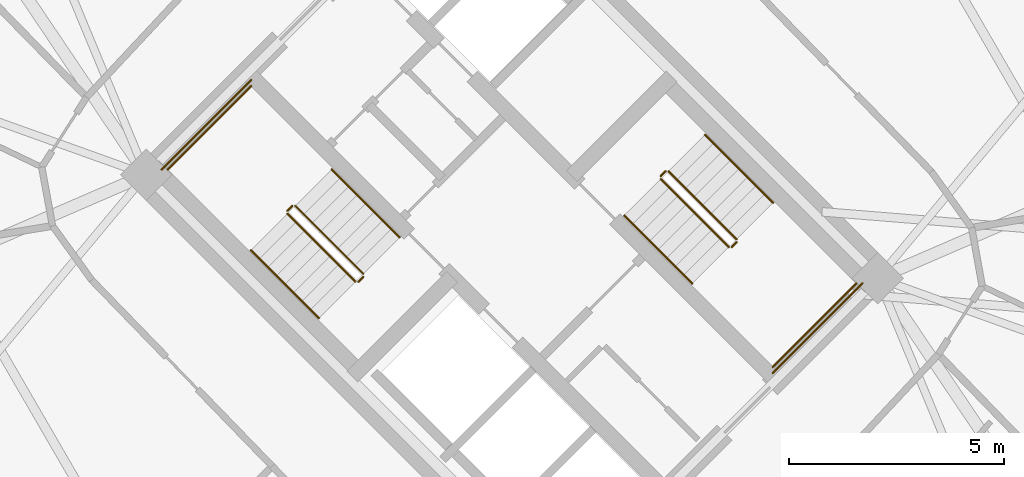
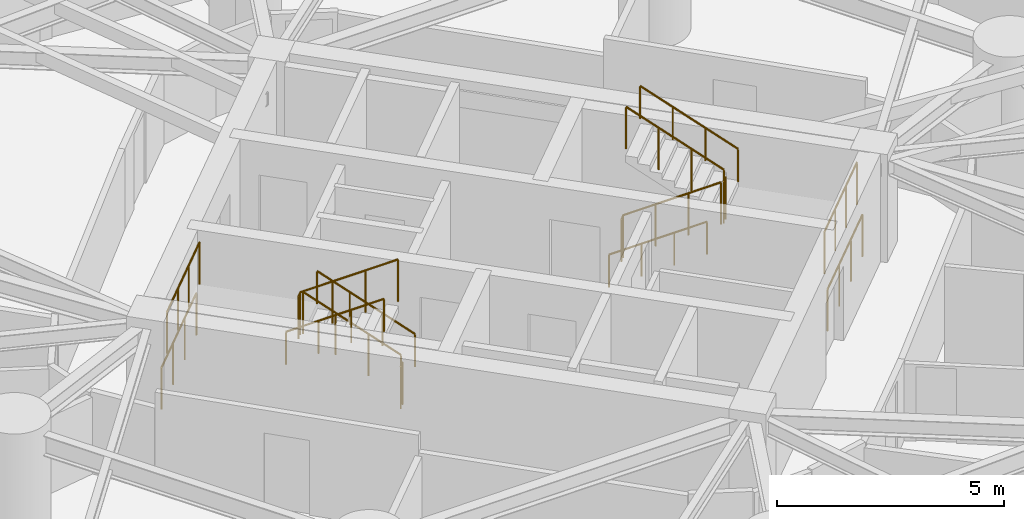
# One storey, part 18 of 18: 16 railings.
"""IFC4 building model written with IfcOpenShell, lengths in metres."""

from ifc_helpers import new_model, si_unit, direction, frame, origin, origin_2d, place, context, subcontext, project, spatial, circle, extrude, material, type_object, element, save


model = new_model("IFC4")

# Units and contexts
model_context = context("Model", 3, precision=1e-05, world=origin(), true_north=direction((0.0, 1.0)))
body_context = subcontext(model_context, "Body", "Model", "MODEL_VIEW")
ifc_project = project(units=[si_unit("LENGTHUNIT", "METRE"), si_unit("AREAUNIT", "SQUARE_METRE"), si_unit("VOLUMEUNIT", "CUBIC_METRE"), si_unit("PLANEANGLEUNIT", "RADIAN"), si_unit("MASSUNIT", "GRAM", prefix="KILO")], contexts=[model_context])

# Site, building, storey
site_placement = place(None, origin())
site = spatial("IfcSite", under=ifc_project, at=site_placement, CompositionType="ELEMENT")
building_placement = place(site_placement, origin())
building = spatial("IfcBuilding", under=site, at=building_placement, Name="Cununo Teusaquillo Station Towers", CompositionType="ELEMENT")
storey_placement = place(building_placement, frame((0.0, 0.0, 45.280029296875)))
storey = spatial("IfcBuildingStorey", under=building, at=storey_placement, Name="L13", CompositionType="ELEMENT", Elevation=45.280029296875)

# Railings
ifc_material_1 = material(Name="Steel EN 10025-2 S355J2", Category="steel")
railing_type_1 = type_object("IfcRailingType", Name="RL-INT-GUARD", PredefinedType="GUARDRAIL", material=ifc_material_1)
railing_1_placement = place(storey_placement, frame((54.03515625, 23.39697265625, 0.16162109375)))
element("IfcRailing", 1, at=railing_1_placement, inside=storey, type_object=railing_type_1, Name="L13 ST-T2-1 stair guard 1", PredefinedType="GUARDRAIL", context=body_context, shape_type="SweptSolid", body=[
    extrude(circle(Radius=0.02392578125, at=origin_2d()), frame((0.0, 0.0, 1.1259765625), z_axis=(-0.612332353853, 0.612332353853, 0.500098167213), x_axis=(-0.707106781187, -0.707106781187, 0.0)), (0.0, 0.0, 1.0), 2.58642578125),
    extrude(circle(Radius=0.02099609375, at=origin_2d()), origin(), (0.0, 0.0, 1.0), 1.101806640625),
    extrude(circle(Radius=0.02099609375, at=origin_2d()), frame((-0.52783203125, 0.52783203125, 0.43115234375)), (0.0, 0.0, 1.0), 1.101806640625),
    extrude(circle(Radius=0.02099609375, at=origin_2d()), frame((-1.055908203125, 1.055908203125, 0.8623046875)), (0.0, 0.0, 1.0), 1.101806640625),
    extrude(circle(Radius=0.02099609375, at=origin_2d()), frame((-1.583740234375, 1.583740234375, 1.29345703125)), (0.0, 0.0, 1.0), 1.101806640625),
])
railing_2_placement = place(storey_placement, frame((52.380615234375, 24.980712890625, 1.455078125)))
element("IfcRailing", 2, at=railing_2_placement, inside=storey, type_object=railing_type_1, Name="L13 ST-T2-1 stair guard 2", PredefinedType="GUARDRAIL", context=body_context, shape_type="SweptSolid", body=[
    extrude(circle(Radius=0.02392578125, at=origin_2d()), frame((0.0, 0.0, 1.1259765625), z_axis=(-0.7078691598, -0.706343579714, 0.0), x_axis=(0.706343579714, -0.7078691598, 0.0)), (0.0, 0.0, 1.0), 0.159912109375),
    extrude(circle(Radius=0.02099609375, at=origin_2d()), origin(), (0.0, 0.0, 1.0), 1.101806640625),
    extrude(circle(Radius=0.02099609375, at=origin_2d()), frame((-0.11328125, -0.113037109375, 0.0)), (0.0, 0.0, 1.0), 1.101806640625),
])
railing_3_placement = place(storey_placement, frame((51.426025390625, 27.77392578125, 1.455078125)))
element("IfcRailing", 3, at=railing_3_placement, inside=storey, type_object=railing_type_1, Name="L13 ST-T2-1 stair guard 3", PredefinedType="GUARDRAIL", context=body_context, shape_type="SweptSolid", body=[
    extrude(circle(Radius=0.02392578125, at=origin_2d()), frame((0.0, 0.0, 1.1259765625), z_axis=(-0.707106781187, -0.707106781187, 0.0), x_axis=(0.707106781187, -0.707106781187, 0.0)), (0.0, 0.0, 1.0), 2.760009765625),
    extrude(circle(Radius=0.02099609375, at=origin_2d()), origin(), (0.0, 0.0, 1.0), 1.101806640625),
    extrude(circle(Radius=0.02099609375, at=origin_2d()), frame((-0.650634765625, -0.650634765625, 0.0)), (0.0, 0.0, 1.0), 1.101806640625),
    extrude(circle(Radius=0.02099609375, at=origin_2d()), frame((-1.301025390625, -1.301025390625, 0.0)), (0.0, 0.0, 1.0), 1.101806640625),
    extrude(circle(Radius=0.02099609375, at=origin_2d()), frame((-1.95166015625, -1.95166015625, 0.0)), (0.0, 0.0, 1.0), 1.101806640625),
])
railing_4_placement = place(storey_placement, frame((52.267333984375, 24.796875, 1.61669921875)))
element("IfcRailing", 4, at=railing_4_placement, inside=storey, type_object=railing_type_1, Name="L13 ST-T2-1 stair guard 4", PredefinedType="GUARDRAIL", context=body_context, shape_type="SweptSolid", body=[
    extrude(circle(Radius=0.02392578125, at=origin_2d()), frame((0.0, 0.0, 1.1259765625), z_axis=(0.612420254088, -0.612325861324, 0.499998471934), x_axis=(0.707052281454, 0.707161276719, 0.0)), (0.0, 0.0, 1.0), 2.58642578125),
    extrude(circle(Radius=0.02099609375, at=origin_2d()), origin(), (0.0, 0.0, 1.0), 1.101806640625),
    extrude(circle(Radius=0.02099609375, at=origin_2d()), frame((0.528076171875, -0.52783203125, 0.43115234375)), (0.0, 0.0, 1.0), 1.101806640625),
    extrude(circle(Radius=0.02099609375, at=origin_2d()), frame((1.055908203125, -1.055908203125, 0.862060546875)), (0.0, 0.0, 1.0), 1.101806640625),
    extrude(circle(Radius=0.02099609375, at=origin_2d()), frame((1.583984375, -1.583740234375, 1.293212890625)), (0.0, 0.0, 1.0), 1.101806640625),
])
railing_5_placement = place(storey_placement, frame((54.03515625, 23.326171875, 0.0)))
element("IfcRailing", 5, at=railing_5_placement, inside=storey, type_object=railing_type_1, Name="L13 ST-T2-1 stair guard 5", PredefinedType="GUARDRAIL", context=body_context, shape_type="SweptSolid", body=[
    extrude(circle(Radius=0.02392578125, at=origin_2d()), frame((0.0, 0.0, 1.1259765625), z_axis=(-0.707106781187, -0.707106781187, 0.0), x_axis=(0.707106781187, -0.707106781187, 0.0)), (0.0, 0.0, 1.0), 0.159912109375),
    extrude(circle(Radius=0.02099609375, at=origin_2d()), origin(), (0.0, 0.0, 1.0), 1.101806640625),
    extrude(circle(Radius=0.02099609375, at=origin_2d()), frame((-0.113037109375, -0.113037109375, 0.0)), (0.0, 0.0, 1.0), 1.101806640625),
])
railing_6_placement = place(storey_placement, frame((51.426025390625, 27.915283203125, 0.0)))
element("IfcRailing", 6, at=railing_6_placement, inside=storey, type_object=railing_type_1, Name="L13 ST-T2-1 stair guard 6", PredefinedType="GUARDRAIL", context=body_context, shape_type="SweptSolid", body=[
    extrude(circle(Radius=0.02392578125, at=origin_2d()), frame((0.0, 0.0, 1.1259765625), z_axis=(-0.707106781187, -0.707106781187, 0.0), x_axis=(0.707106781187, -0.707106781187, 0.0)), (0.0, 0.0, 1.0), 2.9599609375),
    extrude(circle(Radius=0.02099609375, at=origin_2d()), origin(), (0.0, 0.0, 1.0), 1.101806640625),
    extrude(circle(Radius=0.02099609375, at=origin_2d()), frame((-0.69775390625, -0.69775390625, 0.0)), (0.0, 0.0, 1.0), 1.101806640625),
    extrude(circle(Radius=0.02099609375, at=origin_2d()), frame((-1.395263671875, -1.395263671875, 0.0)), (0.0, 0.0, 1.0), 1.101806640625),
    extrude(circle(Radius=0.02099609375, at=origin_2d()), frame((-2.093017578125, -2.093017578125, 0.0)), (0.0, 0.0, 1.0), 1.101806640625),
])
railing_7_placement = place(storey_placement, frame((60.96484375, 25.60302734375, 0.16162109375)))
element("IfcRailing", 7, at=railing_7_placement, inside=storey, type_object=railing_type_1, Name="L13 ST-T2-2 stair guard 1", PredefinedType="GUARDRAIL", context=body_context, shape_type="SweptSolid", body=[
    extrude(circle(Radius=0.02392578125, at=origin_2d()), frame((0.0, 0.0, 1.1259765625), z_axis=(0.612332353853, -0.612332353853, 0.500098167213), x_axis=(0.707106781187, 0.707106781187, 0.0)), (0.0, 0.0, 1.0), 2.58642578125),
    extrude(circle(Radius=0.02099609375, at=origin_2d()), origin(), (0.0, 0.0, 1.0), 1.101806640625),
    extrude(circle(Radius=0.02099609375, at=origin_2d()), frame((0.52783203125, -0.52783203125, 0.43115234375)), (0.0, 0.0, 1.0), 1.101806640625),
    extrude(circle(Radius=0.02099609375, at=origin_2d()), frame((1.055908203125, -1.055908203125, 0.8623046875)), (0.0, 0.0, 1.0), 1.101806640625),
    extrude(circle(Radius=0.02099609375, at=origin_2d()), frame((1.583740234375, -1.583740234375, 1.29345703125)), (0.0, 0.0, 1.0), 1.101806640625),
])
railing_8_placement = place(storey_placement, frame((62.619384765625, 24.019287109375, 1.455078125)))
element("IfcRailing", 8, at=railing_8_placement, inside=storey, type_object=railing_type_1, Name="L13 ST-T2-2 stair guard 2", PredefinedType="GUARDRAIL", context=body_context, shape_type="SweptSolid", body=[
    extrude(circle(Radius=0.02392578125, at=origin_2d()), frame((0.0, 0.0, 1.1259765625), z_axis=(0.7078691598, 0.706343579714, 0.0), x_axis=(-0.706343579714, 0.7078691598, 0.0)), (0.0, 0.0, 1.0), 0.159912109375),
    extrude(circle(Radius=0.02099609375, at=origin_2d()), origin(), (0.0, 0.0, 1.0), 1.101806640625),
    extrude(circle(Radius=0.02099609375, at=origin_2d()), frame((0.11328125, 0.113037109375, 0.0)), (0.0, 0.0, 1.0), 1.101806640625),
])
railing_9_placement = place(storey_placement, frame((63.573974609375, 21.22607421875, 1.455078125)))
element("IfcRailing", 9, at=railing_9_placement, inside=storey, type_object=railing_type_1, Name="L13 ST-T2-2 stair guard 3", PredefinedType="GUARDRAIL", context=body_context, shape_type="SweptSolid", body=[
    extrude(circle(Radius=0.02392578125, at=origin_2d()), frame((0.0, 0.0, 1.1259765625), z_axis=(0.707106781187, 0.707106781187, 0.0), x_axis=(-0.707106781187, 0.707106781187, 0.0)), (0.0, 0.0, 1.0), 2.760009765625),
    extrude(circle(Radius=0.02099609375, at=origin_2d()), origin(), (0.0, 0.0, 1.0), 1.101806640625),
    extrude(circle(Radius=0.02099609375, at=origin_2d()), frame((0.650634765625, 0.650634765625, 0.0)), (0.0, 0.0, 1.0), 1.101806640625),
    extrude(circle(Radius=0.02099609375, at=origin_2d()), frame((1.301025390625, 1.301025390625, 0.0)), (0.0, 0.0, 1.0), 1.101806640625),
    extrude(circle(Radius=0.02099609375, at=origin_2d()), frame((1.95166015625, 1.95166015625, 0.0)), (0.0, 0.0, 1.0), 1.101806640625),
])
railing_10_placement = place(storey_placement, frame((62.732666015625, 24.203125, 1.61669921875)))
element("IfcRailing", 10, at=railing_10_placement, inside=storey, type_object=railing_type_1, Name="L13 ST-T2-2 stair guard 4", PredefinedType="GUARDRAIL", context=body_context, shape_type="SweptSolid", body=[
    extrude(circle(Radius=0.02392578125, at=origin_2d()), frame((0.0, 0.0, 1.1259765625), z_axis=(-0.612420254088, 0.612325861324, 0.499998471934), x_axis=(-0.707052281454, -0.707161276719, 0.0)), (0.0, 0.0, 1.0), 2.58642578125),
    extrude(circle(Radius=0.02099609375, at=origin_2d()), origin(), (0.0, 0.0, 1.0), 1.101806640625),
    extrude(circle(Radius=0.02099609375, at=origin_2d()), frame((-0.528076171875, 0.52783203125, 0.43115234375)), (0.0, 0.0, 1.0), 1.101806640625),
    extrude(circle(Radius=0.02099609375, at=origin_2d()), frame((-1.055908203125, 1.055908203125, 0.862060546875)), (0.0, 0.0, 1.0), 1.101806640625),
    extrude(circle(Radius=0.02099609375, at=origin_2d()), frame((-1.583984375, 1.583740234375, 1.293212890625)), (0.0, 0.0, 1.0), 1.101806640625),
])
railing_11_placement = place(storey_placement, frame((60.96484375, 25.673828125, 0.0)))
element("IfcRailing", 11, at=railing_11_placement, inside=storey, type_object=railing_type_1, Name="L13 ST-T2-2 stair guard 5", PredefinedType="GUARDRAIL", context=body_context, shape_type="SweptSolid", body=[
    extrude(circle(Radius=0.02392578125, at=origin_2d()), frame((0.0, 0.0, 1.1259765625), z_axis=(0.707106781187, 0.707106781187, 0.0), x_axis=(-0.707106781187, 0.707106781187, 0.0)), (0.0, 0.0, 1.0), 0.159912109375),
    extrude(circle(Radius=0.02099609375, at=origin_2d()), origin(), (0.0, 0.0, 1.0), 1.101806640625),
    extrude(circle(Radius=0.02099609375, at=origin_2d()), frame((0.113037109375, 0.113037109375, 0.0)), (0.0, 0.0, 1.0), 1.101806640625),
])
railing_12_placement = place(storey_placement, frame((63.573974609375, 21.084716796875, 0.0)))
element("IfcRailing", 12, at=railing_12_placement, inside=storey, type_object=railing_type_1, Name="L13 ST-T2-2 stair guard 6", PredefinedType="GUARDRAIL", context=body_context, shape_type="SweptSolid", body=[
    extrude(circle(Radius=0.02392578125, at=origin_2d()), frame((0.0, 0.0, 1.1259765625), z_axis=(0.707106781187, 0.707106781187, 0.0), x_axis=(-0.707106781187, 0.707106781187, 0.0)), (0.0, 0.0, 1.0), 2.9599609375),
    extrude(circle(Radius=0.02099609375, at=origin_2d()), origin(), (0.0, 0.0, 1.0), 1.101806640625),
    extrude(circle(Radius=0.02099609375, at=origin_2d()), frame((0.69775390625, 0.69775390625, 0.0)), (0.0, 0.0, 1.0), 1.101806640625),
    extrude(circle(Radius=0.02099609375, at=origin_2d()), frame((1.395263671875, 1.395263671875, 0.0)), (0.0, 0.0, 1.0), 1.101806640625),
    extrude(circle(Radius=0.02099609375, at=origin_2d()), frame((2.093017578125, 2.093017578125, 0.0)), (0.0, 0.0, 1.0), 1.101806640625),
])
ifc_material_2 = material(Name="Steel EN 10025-2 S355J2", Category="steel")
railing_type_2 = type_object("IfcRailingType", Name="RL-INT-HRAIL", PredefinedType="HANDRAIL", material=ifc_material_2)
railing_13_placement = place(storey_placement, frame((54.8837890625, 24.245361328125, 0.16162109375)))
element("IfcRailing", 13, at=railing_13_placement, inside=storey, type_object=railing_type_2, Name="L13 ST-T2-1 stair handrail 1", PredefinedType="HANDRAIL", context=body_context, shape_type="SweptSolid", body=[
    extrude(circle(Radius=0.02392578125, at=origin_2d()), frame((0.0, 0.0, 0.8759765625), z_axis=(-0.612355957468, 0.612355957468, 0.500040361077), x_axis=(-0.707106781187, -0.707106781187, 0.0)), (0.0, 0.0, 1.0), 2.586669921875),
    extrude(circle(Radius=0.02099609375, at=origin_2d()), origin(), (0.0, 0.0, 1.0), 0.851806640625),
    extrude(circle(Radius=0.02099609375, at=origin_2d()), frame((-0.528076171875, 0.528076171875, 0.43115234375)), (0.0, 0.0, 1.0), 0.851806640625),
    extrude(circle(Radius=0.02099609375, at=origin_2d()), frame((-1.055908203125, 1.055908203125, 0.8623046875)), (0.0, 0.0, 1.0), 0.851806640625),
    extrude(circle(Radius=0.02099609375, at=origin_2d()), frame((-1.583984375, 1.583984375, 1.29345703125)), (0.0, 0.0, 1.0), 0.851806640625),
])
railing_14_placement = place(storey_placement, frame((51.4189453125, 23.948486328125, 1.61669921875)))
element("IfcRailing", 14, at=railing_14_placement, inside=storey, type_object=railing_type_2, Name="L13 ST-T2-1 stair handrail 2", PredefinedType="HANDRAIL", context=body_context, shape_type="SweptSolid", body=[
    extrude(circle(Radius=0.02392578125, at=origin_2d()), frame((0.0, 0.0, 0.8759765625), z_axis=(0.612384857071, -0.612384857071, 0.499969572735), x_axis=(0.707106781187, 0.707106781187, 0.0)), (0.0, 0.0, 1.0), 2.586669921875),
    extrude(circle(Radius=0.02099609375, at=origin_2d()), origin(), (0.0, 0.0, 1.0), 0.851806640625),
    extrude(circle(Radius=0.02099609375, at=origin_2d()), frame((0.528076171875, -0.528076171875, 0.43115234375)), (0.0, 0.0, 1.0), 0.851806640625),
    extrude(circle(Radius=0.02099609375, at=origin_2d()), frame((1.055908203125, -1.055908203125, 0.862060546875)), (0.0, 0.0, 1.0), 0.851806640625),
    extrude(circle(Radius=0.02099609375, at=origin_2d()), frame((1.583984375, -1.583984375, 1.293212890625)), (0.0, 0.0, 1.0), 0.851806640625),
])
railing_15_placement = place(storey_placement, frame((60.1162109375, 24.754638671875, 0.16162109375)))
element("IfcRailing", 15, at=railing_15_placement, inside=storey, type_object=railing_type_2, Name="L13 ST-T2-2 stair handrail 1", PredefinedType="HANDRAIL", context=body_context, shape_type="SweptSolid", body=[
    extrude(circle(Radius=0.02392578125, at=origin_2d()), frame((0.0, 0.0, 0.8759765625), z_axis=(0.612355957468, -0.612355957468, 0.500040361077), x_axis=(0.707106781187, 0.707106781187, 0.0)), (0.0, 0.0, 1.0), 2.586669921875),
    extrude(circle(Radius=0.02099609375, at=origin_2d()), origin(), (0.0, 0.0, 1.0), 0.851806640625),
    extrude(circle(Radius=0.02099609375, at=origin_2d()), frame((0.528076171875, -0.528076171875, 0.43115234375)), (0.0, 0.0, 1.0), 0.851806640625),
    extrude(circle(Radius=0.02099609375, at=origin_2d()), frame((1.055908203125, -1.055908203125, 0.8623046875)), (0.0, 0.0, 1.0), 0.851806640625),
    extrude(circle(Radius=0.02099609375, at=origin_2d()), frame((1.583984375, -1.583984375, 1.29345703125)), (0.0, 0.0, 1.0), 0.851806640625),
])
railing_16_placement = place(storey_placement, frame((63.5810546875, 25.051513671875, 1.61669921875)))
element("IfcRailing", 16, at=railing_16_placement, inside=storey, type_object=railing_type_2, Name="L13 ST-T2-2 stair handrail 2", PredefinedType="HANDRAIL", context=body_context, shape_type="SweptSolid", body=[
    extrude(circle(Radius=0.02392578125, at=origin_2d()), frame((0.0, 0.0, 0.8759765625), z_axis=(-0.612384857071, 0.612384857071, 0.499969572735), x_axis=(-0.707106781187, -0.707106781187, 0.0)), (0.0, 0.0, 1.0), 2.586669921875),
    extrude(circle(Radius=0.02099609375, at=origin_2d()), origin(), (0.0, 0.0, 1.0), 0.851806640625),
    extrude(circle(Radius=0.02099609375, at=origin_2d()), frame((-0.528076171875, 0.528076171875, 0.43115234375)), (0.0, 0.0, 1.0), 0.851806640625),
    extrude(circle(Radius=0.02099609375, at=origin_2d()), frame((-1.055908203125, 1.055908203125, 0.862060546875)), (0.0, 0.0, 1.0), 0.851806640625),
    extrude(circle(Radius=0.02099609375, at=origin_2d()), frame((-1.583984375, 1.583984375, 1.293212890625)), (0.0, 0.0, 1.0), 0.851806640625),
])

save(model, "model.ifc")
